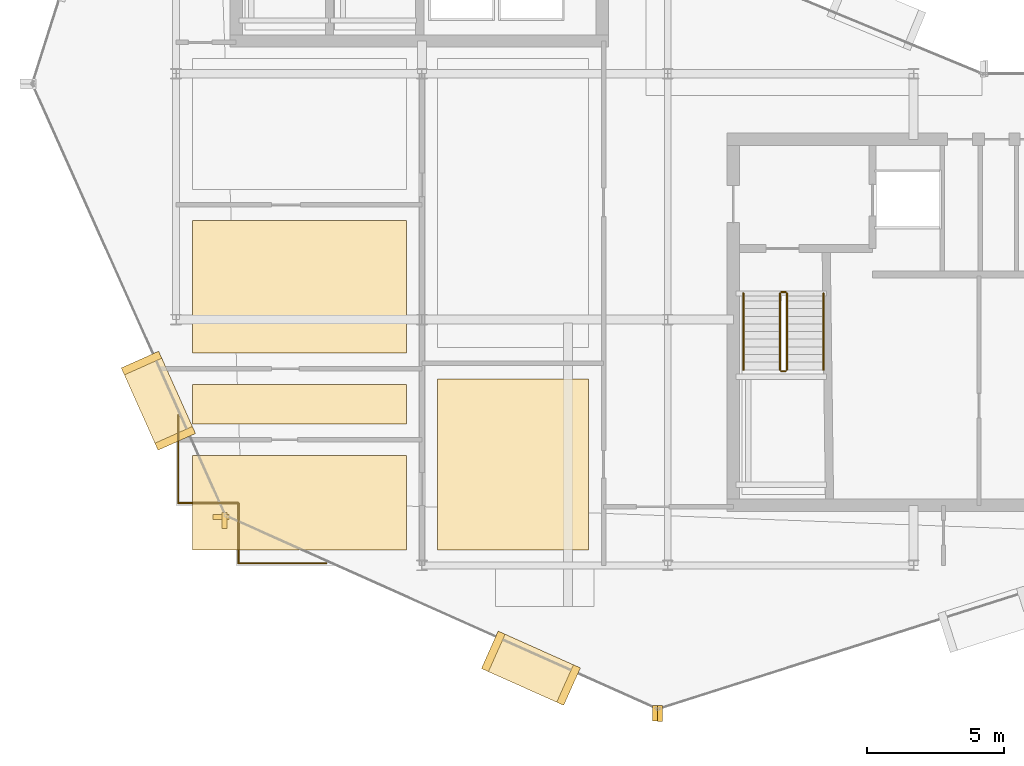
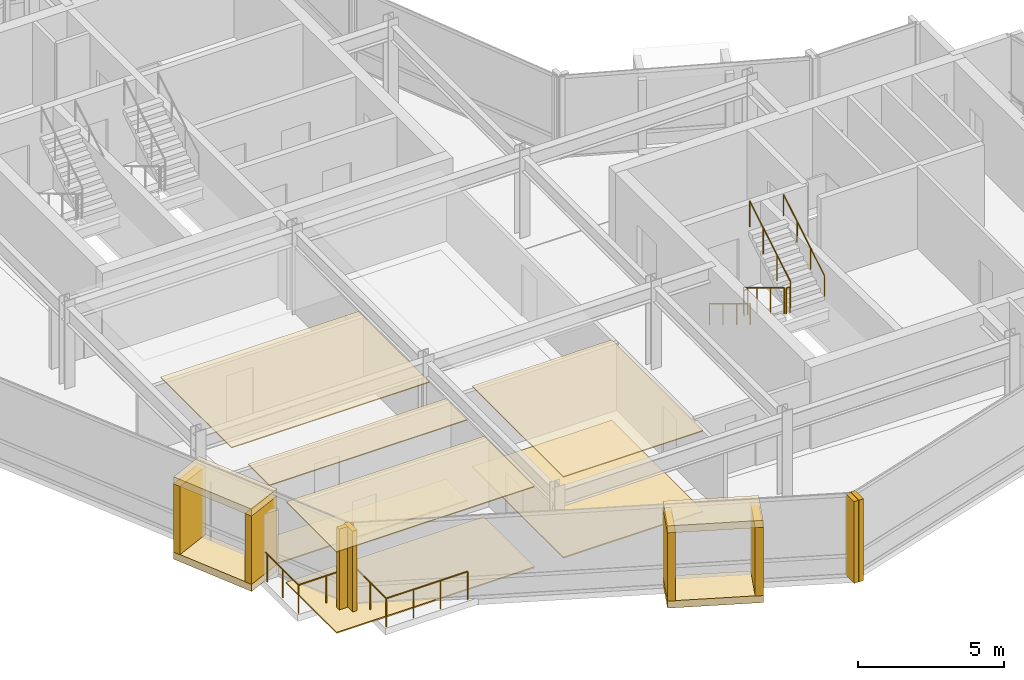
# One storey, part 16 of 19: 19 coverings, 10 railings.
"""IFC4 building model written with IfcOpenShell, lengths in metres."""

from ifc_helpers import new_model, si_unit, direction, frame, origin, origin_2d, place, context, subcontext, project, spatial, polyline, rectangle, circle, outline, extrude, material, layer, layer_set, type_object, element, save


model = new_model("IFC4")

# Units and contexts
model_context = context("Model", 3, precision=1e-05, world=origin(), true_north=direction((0.0, 1.0)))
body_context = subcontext(model_context, "Body", "Model", "MODEL_VIEW")
ifc_project = project(units=[si_unit("LENGTHUNIT", "METRE"), si_unit("AREAUNIT", "SQUARE_METRE"), si_unit("VOLUMEUNIT", "CUBIC_METRE"), si_unit("PLANEANGLEUNIT", "RADIAN"), si_unit("MASSUNIT", "GRAM", prefix="KILO")], contexts=[model_context])

# Site, building, storey
site_placement = place(None, origin())
site = spatial("IfcSite", under=ifc_project, at=site_placement, CompositionType="ELEMENT")
building_placement = place(site_placement, origin())
building = spatial("IfcBuilding", under=site, at=building_placement, Name="Solvaryn Broadcast Tower", CompositionType="ELEMENT")
storey_placement = place(building_placement, frame((0.0, 0.0, 244.5)))
storey = spatial("IfcBuildingStorey", under=building, at=storey_placement, Name="L61", CompositionType="ELEMENT", Elevation=244.5)

# Coverings
ifc_material_1 = material(Name="Micro-Perforated Acoustic Gypsum Ceiling", Category="concrete")
ifc_layer_1 = layer(ifc_material_1, 0.0400390625)
ifc_layer_set_1 = layer_set([ifc_layer_1], Name="CV-CEIL-ACOUSTIC")
covering_type_1 = type_object("IfcCoveringType", Name="CV-CEIL-ACOUSTIC", PredefinedType="CEILING", material=ifc_layer_set_1)
covering_1_placement = place(storey_placement, frame((0.0, 0.0, 3.3798828125)))
element("IfcCovering", 1, at=covering_1_placement, inside=storey, type_object=covering_type_1, Name="L61 Room Acoustic Ceiling 1", PredefinedType="CEILING", context=body_context, shape_type="SweptSolid", body=[
    extrude(outline(polyline([(18.570068359375, 9.570068359375), (24.10009765625, 9.570068359375), (24.10009765625, 15.830078125), (18.570068359375, 15.830078125), (18.570068359375, 9.570068359375)])), origin(), (0.0, 0.0, 1.0), 0.0400390625),
])
covering_2_placement = place(storey_placement, frame((0.0, 0.0, 3.3798828125)))
element("IfcCovering", 2, at=covering_2_placement, inside=storey, type_object=covering_type_1, Name="L61 Room Acoustic Ceiling 3", PredefinedType="CEILING", context=body_context, shape_type="SweptSolid", body=[
    extrude(outline(polyline([(9.60009765625, 9.570068359375), (17.429931640625, 9.570068359375), (17.429931640625, 13.030029296875), (9.60009765625, 13.030029296875), (9.60009765625, 9.570068359375)])), origin(), (0.0, 0.0, 1.0), 0.0400390625),
])
covering_3_placement = place(storey_placement, frame((0.0, 0.0, 3.3798828125)))
element("IfcCovering", 3, at=covering_3_placement, inside=storey, type_object=covering_type_1, Name="L61 Room Acoustic Ceiling 4", PredefinedType="CEILING", context=body_context, shape_type="SweptSolid", body=[
    extrude(outline(polyline([(9.60009765625, 14.169921875), (17.429931640625, 14.169921875), (17.429931640625, 15.6298828125), (9.60009765625, 15.6298828125), (9.60009765625, 14.169921875)])), origin(), (0.0, 0.0, 1.0), 0.0400390625),
])
covering_4_placement = place(storey_placement, frame((0.0, 0.0, 3.3798828125)))
element("IfcCovering", 4, at=covering_4_placement, inside=storey, type_object=covering_type_1, Name="L61 Room Acoustic Ceiling 5", PredefinedType="CEILING", context=body_context, shape_type="SweptSolid", body=[
    extrude(outline(polyline([(9.60009765625, 16.77001953125), (17.429931640625, 16.77001953125), (17.429931640625, 21.6298828125), (9.60009765625, 21.6298828125), (9.60009765625, 16.77001953125)])), origin(), (0.0, 0.0, 1.0), 0.0400390625),
])
ifc_material_2 = material(Name="Newsroom Raised Data Access Flooring", Category="steel")
ifc_layer_2 = layer(ifc_material_2, 0.050048828125)
ifc_layer_set_2 = layer_set([ifc_layer_2], Name="CV-FLOOR-RAISED")
covering_type_2 = type_object("IfcCoveringType", Name="CV-FLOOR-RAISED", PredefinedType="FLOORING", material=ifc_layer_set_2)
covering_5_placement = place(storey_placement, origin())
element("IfcCovering", 5, at=covering_5_placement, inside=storey, type_object=covering_type_2, Name="L61 Room Acoustic Floor Finish 1", PredefinedType="FLOORING", context=body_context, shape_type="SweptSolid", body=[
    extrude(outline(polyline([(18.570068359375, 9.570068359375), (24.10009765625, 9.570068359375), (24.10009765625, 15.830078125), (18.570068359375, 15.830078125), (18.570068359375, 9.570068359375)])), origin(), (0.0, 0.0, 1.0), 0.050048828125),
])
covering_6_placement = place(storey_placement, origin())
element("IfcCovering", 6, at=covering_6_placement, inside=storey, type_object=covering_type_2, Name="L61 Room Acoustic Floor Finish 3", PredefinedType="FLOORING", context=body_context, shape_type="SweptSolid", body=[
    extrude(outline(polyline([(9.60009765625, 9.570068359375), (17.429931640625, 9.570068359375), (17.429931640625, 13.030029296875), (9.60009765625, 13.030029296875), (9.60009765625, 9.570068359375)])), origin(), (0.0, 0.0, 1.0), 0.050048828125),
])
covering_7_placement = place(storey_placement, origin())
element("IfcCovering", 7, at=covering_7_placement, inside=storey, type_object=covering_type_2, Name="L61 Room Acoustic Floor Finish 4", PredefinedType="FLOORING", context=body_context, shape_type="SweptSolid", body=[
    extrude(outline(polyline([(9.60009765625, 14.169921875), (17.429931640625, 14.169921875), (17.429931640625, 15.6298828125), (9.60009765625, 15.6298828125), (9.60009765625, 14.169921875)])), origin(), (0.0, 0.0, 1.0), 0.050048828125),
])
ifc_material_3 = material(Name="Glazed Architectural Terracotta Rainscreen Cladding", Category="masonry")
ifc_layer_3 = layer(ifc_material_3, 0.280029296875)
ifc_layer_set_3 = layer_set([ifc_layer_3], Name="CV-TC-CLAD")
covering_type_3 = type_object("IfcCoveringType", Name="CV-TC-CLAD", PredefinedType="CLADDING", material=ifc_layer_set_3)
for number, where, z_axis, x_axis, name in (
    (8, (8.35107421875, 15.030029296875, 3.1298828125), (0.0, 0.0, 1.0), (0.408489773781, -0.91276289622, 0.0), "L61 Projecting Stone Window Box Hood 2"),
    (9, (8.35107421875, 15.030029296875, -0.01025390625), (0.0, 0.0, 1.0), (0.408489773781, -0.91276289622, 0.0), "L61 Projecting Stone Window Box Sill 2"),
):
    element("IfcCovering", number, at=place(storey_placement, frame(where, z_axis=z_axis, x_axis=x_axis)), inside=storey, type_object=covering_type_3, Name=name, PredefinedType="CLADDING", context=body_context, shape_type="SweptSolid", body=[
        extrude(rectangle(XDim=3.300048828125, YDim=1.5, at=origin_2d()), origin(), (0.0, 0.0, 1.0), 0.300048828125),
    ])
for number, where, z_axis, x_axis, name in (
    (10, (7.734130859375, 16.408203125, 0.27978515625), (0.0, 0.0, 1.0), (0.408489773781, -0.91276289622, 0.0), "L61 Projecting Stone Window Box Cheek 2-1"),
    (11, (8.9677734375, 13.651611328125, 0.27978515625), (0.0, 0.0, 1.0), (0.408489773781, -0.91276289622, 0.0), "L61 Projecting Stone Window Box Cheek 2-2"),
):
    element("IfcCovering", number, at=place(storey_placement, frame(where, z_axis=z_axis, x_axis=x_axis)), inside=storey, type_object=covering_type_3, Name=name, PredefinedType="CLADDING", context=body_context, shape_type="SweptSolid", body=[
        extrude(rectangle(XDim=0.280029296875, YDim=1.5, at=origin_2d()), origin(), (0.0, 0.0, 1.0), 2.860107421875),
    ])
for number, where, z_axis, x_axis, name in (
    (12, (21.989990234375, 5.236083984375, 3.1298828125), (0.0, 0.0, 1.0), (0.91276289622, -0.408489773781, 0.0), "L61 Projecting Stone Window Box Hood 3"),
    (13, (21.989990234375, 5.236083984375, -0.01025390625), (0.0, 0.0, 1.0), (0.91276289622, -0.408489773781, 0.0), "L61 Projecting Stone Window Box Sill 3"),
):
    element("IfcCovering", number, at=place(storey_placement, frame(where, z_axis=z_axis, x_axis=x_axis)), inside=storey, type_object=covering_type_3, Name=name, PredefinedType="CLADDING", context=body_context, shape_type="SweptSolid", body=[
        extrude(rectangle(XDim=3.300048828125, YDim=1.5, at=origin_2d()), origin(), (0.0, 0.0, 1.0), 0.300048828125),
    ])
for number, where, z_axis, x_axis, name in (
    (14, (20.61181640625, 5.852783203125, 0.27978515625), (0.0, 0.0, 1.0), (0.91276289622, -0.408489773781, 0.0), "L61 Projecting Stone Window Box Cheek 3-1"),
    (15, (23.368408203125, 4.619140625, 0.27978515625), (0.0, 0.0, 1.0), (0.91276289622, -0.408489773781, 0.0), "L61 Projecting Stone Window Box Cheek 3-2"),
):
    element("IfcCovering", number, at=place(storey_placement, frame(where, z_axis=z_axis, x_axis=x_axis)), inside=storey, type_object=covering_type_3, Name=name, PredefinedType="CLADDING", context=body_context, shape_type="SweptSolid", body=[
        extrude(rectangle(XDim=0.280029296875, YDim=1.5, at=origin_2d()), origin(), (0.0, 0.0, 1.0), 2.860107421875),
    ])
ifc_material_4 = material(Name="Extruded Architectural Terracotta Fin", Category="masonry")
ifc_layer_4 = layer(ifc_material_4, 0.179931640625)
ifc_layer_set_4 = layer_set([ifc_layer_4], Name="CV-TC-FIN")
covering_type_4 = type_object("IfcCoveringType", Name="CV-TC-FIN", PredefinedType="USERDEFINED", material=ifc_layer_set_4)
covering_8_placement = place(storey_placement, frame((10.640380859375, 10.77099609375, 0.0), z_axis=(0.0, 0.0, 1.0), x_axis=(1.0, 0.0, 0.0)))
element("IfcCovering", 16, at=covering_8_placement, inside=storey, type_object=covering_type_4, Name="L61 Terracotta Vertical Fin FIN-L61-DR2-M01", ObjectType="FIN", PredefinedType="USERDEFINED", context=body_context, shape_type="SweptSolid", body=[
    extrude(rectangle(XDim=0.580078125, YDim=0.179931640625, at=origin_2d()), origin(), (0.0, 0.0, 1.0), 3.419921875),
])
for number, where, z_axis, x_axis, name in (
    (17, (10.77099609375, 10.640380859375, 0.0), (0.0, 0.0, 1.0), (1.0, 0.0, 0.0), "L61 Terracotta Vertical Fin FIN-L61-DR3-M00"),
    (18, (26.53515625, 3.5859375, 0.0), (0.0, 0.0, 1.0), (1.0, 0.0, 0.0), "L61 Terracotta Vertical Fin FIN-L61-DR3-M01"),
    (19, (26.71923828125, 3.575439453125, 0.0), (0.0, 0.0, 1.0), (1.0, 0.0, 0.0), "L61 Terracotta Vertical Fin FIN-L61-DR4-M00"),
):
    element("IfcCovering", number, at=place(storey_placement, frame(where, z_axis=z_axis, x_axis=x_axis)), inside=storey, type_object=covering_type_4, Name=name, ObjectType="FIN", PredefinedType="USERDEFINED", context=body_context, shape_type="SweptSolid", body=[
        extrude(rectangle(XDim=0.179931640625, YDim=0.580078125, at=origin_2d()), origin(), (0.0, 0.0, 1.0), 3.419921875),
    ])

# Railings
ifc_material_5 = material(Name="Stainless Steel and Laminated Glass Guard", Category="steel")
railing_type_1 = type_object("IfcRailingType", Name="RL-SKYG-1200", PredefinedType="BALUSTRADE", material=ifc_material_5)
railing_1_placement = place(storey_placement, frame((9.080078125, 14.5, 0.0)))
element("IfcRailing", 20, at=railing_1_placement, inside=storey, type_object=railing_type_1, Name="L61 Upper SW Corner Balustrade 1", PredefinedType="BALUSTRADE", context=body_context, shape_type="SweptSolid", body=[
    extrude(circle(Radius=0.02392578125, at=origin_2d()), frame((0.0, 0.0, 1.17578125), z_axis=(0.0, -1.0, 0.0), x_axis=(1.0, 0.0, 0.0)), (0.0, 0.0, 1.0), 3.219970703125),
    extrude(circle(Radius=0.02099609375, at=origin_2d()), origin(), (0.0, 0.0, 1.0), 1.15185546875),
    extrude(circle(Radius=0.02099609375, at=origin_2d()), frame((0.0, -1.0732421875, 0.0)), (0.0, 0.0, 1.0), 1.15185546875),
    extrude(circle(Radius=0.02099609375, at=origin_2d()), frame((0.0, -2.146728515625, 0.0)), (0.0, 0.0, 1.0), 1.15185546875),
    extrude(circle(Radius=0.02099609375, at=origin_2d()), frame((0.0, -3.219970703125, 0.0)), (0.0, 0.0, 1.0), 1.15185546875),
])
railing_2_placement = place(storey_placement, frame((9.080078125, 11.280029296875, 0.0)))
element("IfcRailing", 21, at=railing_2_placement, inside=storey, type_object=railing_type_1, Name="L61 Upper SW Corner Balustrade 2", PredefinedType="BALUSTRADE", context=body_context, shape_type="SweptSolid", body=[
    extrude(circle(Radius=0.02392578125, at=origin_2d()), frame((0.0, 0.0, 1.17578125), z_axis=(1.0, 0.0, 0.0), x_axis=(0.0, 1.0, 0.0)), (0.0, 0.0, 1.0), 2.199951171875),
    extrude(circle(Radius=0.02099609375, at=origin_2d()), origin(), (0.0, 0.0, 1.0), 1.15185546875),
    extrude(circle(Radius=0.02099609375, at=origin_2d()), frame((1.10009765625, 0.0, 0.0)), (0.0, 0.0, 1.0), 1.15185546875),
    extrude(circle(Radius=0.02099609375, at=origin_2d()), frame((2.199951171875, 0.0, 0.0)), (0.0, 0.0, 1.0), 1.15185546875),
])
railing_3_placement = place(storey_placement, frame((11.280029296875, 11.280029296875, 0.0)))
element("IfcRailing", 22, at=railing_3_placement, inside=storey, type_object=railing_type_1, Name="L61 Upper SW Corner Balustrade 3", PredefinedType="BALUSTRADE", context=body_context, shape_type="SweptSolid", body=[
    extrude(circle(Radius=0.02392578125, at=origin_2d()), frame((0.0, 0.0, 1.17578125), z_axis=(0.0, -1.0, 0.0), x_axis=(1.0, 0.0, 0.0)), (0.0, 0.0, 1.0), 2.199951171875),
    extrude(circle(Radius=0.02099609375, at=origin_2d()), origin(), (0.0, 0.0, 1.0), 1.15185546875),
    extrude(circle(Radius=0.02099609375, at=origin_2d()), frame((0.0, -1.10009765625, 0.0)), (0.0, 0.0, 1.0), 1.15185546875),
    extrude(circle(Radius=0.02099609375, at=origin_2d()), frame((0.0, -2.199951171875, 0.0)), (0.0, 0.0, 1.0), 1.15185546875),
])
railing_4_placement = place(storey_placement, frame((11.280029296875, 9.080078125, 0.0)))
element("IfcRailing", 23, at=railing_4_placement, inside=storey, type_object=railing_type_1, Name="L61 Upper SW Corner Balustrade 4", PredefinedType="BALUSTRADE", context=body_context, shape_type="SweptSolid", body=[
    extrude(circle(Radius=0.02392578125, at=origin_2d()), frame((0.0, 0.0, 1.17578125), z_axis=(1.0, 0.0, 0.0), x_axis=(0.0, 1.0, 0.0)), (0.0, 0.0, 1.0), 3.219970703125),
    extrude(circle(Radius=0.02099609375, at=origin_2d()), origin(), (0.0, 0.0, 1.0), 1.15185546875),
    extrude(circle(Radius=0.02099609375, at=origin_2d()), frame((1.0732421875, 0.0, 0.0)), (0.0, 0.0, 1.0), 1.15185546875),
    extrude(circle(Radius=0.02099609375, at=origin_2d()), frame((2.146728515625, 0.0, 0.0)), (0.0, 0.0, 1.0), 1.15185546875),
    extrude(circle(Radius=0.02099609375, at=origin_2d()), frame((3.219970703125, 0.0, 0.0)), (0.0, 0.0, 1.0), 1.15185546875),
])
ifc_material_6 = material(Name="Painted Steel Stair Well Guard", Category="steel")
railing_type_2 = type_object("IfcRailingType", Name="RL-STAIR-GUARD", PredefinedType="BALUSTRADE", material=ifc_material_6)
railing_5_placement = place(storey_placement, frame((31.110107421875, 18.9599609375, 0.168212890625)))
element("IfcRailing", 24, at=railing_5_placement, inside=storey, type_object=railing_type_2, Name="L61 ST3 stair guard 1", PredefinedType="BALUSTRADE", context=body_context, shape_type="SweptSolid", body=[
    extrude(circle(Radius=0.02392578125, at=origin_2d()), frame((0.0, 0.0, 1.076171875), z_axis=(0.0, -0.857242210791, 0.514913383045), x_axis=(1.0, 0.0, 0.0)), (0.0, 0.0, 1.0), 3.266357421875),
    extrude(circle(Radius=0.02099609375, at=origin_2d()), origin(), (0.0, 0.0, 1.0), 1.052001953125),
    extrude(circle(Radius=0.02099609375, at=origin_2d()), frame((0.0, -0.933349609375, 0.560546875)), (0.0, 0.0, 1.0), 1.052001953125),
    extrude(circle(Radius=0.02099609375, at=origin_2d()), frame((0.0, -1.86669921875, 1.121337890625)), (0.0, 0.0, 1.0), 1.052001953125),
    extrude(circle(Radius=0.02099609375, at=origin_2d()), frame((0.0, -2.800048828125, 1.681884765625)), (0.0, 0.0, 1.0), 1.052001953125),
])
railing_6_placement = place(storey_placement, frame((31.159912109375, 16.110107421875, 1.85009765625)))
element("IfcRailing", 25, at=railing_6_placement, inside=storey, type_object=railing_type_2, Name="L61 ST3 stair guard 2", PredefinedType="BALUSTRADE", context=body_context, shape_type="SweptSolid", body=[
    extrude(circle(Radius=0.02392578125, at=origin_2d()), frame((0.0, 0.0, 1.076171875), z_axis=(1.0, 0.0, 0.0), x_axis=(0.0, 1.0, 0.0)), (0.0, 0.0, 1.0), 0.150146484375),
    extrude(circle(Radius=0.02099609375, at=origin_2d()), origin(), (0.0, 0.0, 1.0), 1.052001953125),
    extrude(circle(Radius=0.02099609375, at=origin_2d()), frame((0.150146484375, 0.0, 0.0)), (0.0, 0.0, 1.0), 1.052001953125),
])
railing_7_placement = place(storey_placement, frame((31.360107421875, 16.159912109375, 2.01806640625)))
element("IfcRailing", 26, at=railing_7_placement, inside=storey, type_object=railing_type_2, Name="L61 ST3 stair guard 3", PredefinedType="BALUSTRADE", context=body_context, shape_type="SweptSolid", body=[
    extrude(circle(Radius=0.02392578125, at=origin_2d()), frame((0.0, 0.0, 1.076171875), z_axis=(0.0, 0.857242210791, 0.514913383045), x_axis=(-1.0, 0.0, 0.0)), (0.0, 0.0, 1.0), 3.266357421875),
    extrude(circle(Radius=0.02099609375, at=origin_2d()), origin(), (0.0, 0.0, 1.0), 1.052001953125),
    extrude(circle(Radius=0.02099609375, at=origin_2d()), frame((0.0, 0.933349609375, 0.560546875)), (0.0, 0.0, 1.0), 1.052001953125),
    extrude(circle(Radius=0.02099609375, at=origin_2d()), frame((0.0, 1.86669921875, 1.121337890625)), (0.0, 0.0, 1.0), 1.052001953125),
    extrude(circle(Radius=0.02099609375, at=origin_2d()), frame((0.0, 2.800048828125, 1.681884765625)), (0.0, 0.0, 1.0), 1.052001953125),
])
railing_8_placement = place(storey_placement, frame((31.159912109375, 19.010009765625, 0.0)))
element("IfcRailing", 27, at=railing_8_placement, inside=storey, type_object=railing_type_2, Name="L61 ST3 stair guard 4", PredefinedType="BALUSTRADE", context=body_context, shape_type="SweptSolid", body=[
    extrude(circle(Radius=0.02392578125, at=origin_2d()), frame((0.0, 0.0, 1.076171875), z_axis=(1.0, 0.0, 0.0), x_axis=(0.0, 1.0, 0.0)), (0.0, 0.0, 1.0), 0.150146484375),
    extrude(circle(Radius=0.02099609375, at=origin_2d()), origin(), (0.0, 0.0, 1.0), 1.052001953125),
    extrude(circle(Radius=0.02099609375, at=origin_2d()), frame((0.150146484375, 0.0, 0.0)), (0.0, 0.0, 1.0), 1.052001953125),
])
ifc_material_7 = material(Name="Brushed Stainless Steel Tubular Handrail", Category="steel")
railing_type_3 = type_object("IfcRailingType", Name="RL-STAIR-HANDRAIL", PredefinedType="HANDRAIL", material=ifc_material_7)
railing_9_placement = place(storey_placement, frame((29.77001953125, 18.9599609375, 0.168212890625)))
element("IfcRailing", 28, at=railing_9_placement, inside=storey, type_object=railing_type_3, Name="L61 ST3 stair handrail 1", PredefinedType="HANDRAIL", context=body_context, shape_type="SweptSolid", body=[
    extrude(circle(Radius=0.02392578125, at=origin_2d()), frame((0.0, 0.0, 0.8759765625), z_axis=(0.0, -0.857242210791, 0.514913383045), x_axis=(1.0, 0.0, 0.0)), (0.0, 0.0, 1.0), 3.266357421875),
    extrude(circle(Radius=0.02099609375, at=origin_2d()), origin(), (0.0, 0.0, 1.0), 0.851806640625),
    extrude(circle(Radius=0.02099609375, at=origin_2d()), frame((0.0, -0.933349609375, 0.560546875)), (0.0, 0.0, 1.0), 0.851806640625),
    extrude(circle(Radius=0.02099609375, at=origin_2d()), frame((0.0, -1.86669921875, 1.121337890625)), (0.0, 0.0, 1.0), 0.851806640625),
    extrude(circle(Radius=0.02099609375, at=origin_2d()), frame((0.0, -2.800048828125, 1.681884765625)), (0.0, 0.0, 1.0), 0.851806640625),
])
railing_10_placement = place(storey_placement, frame((32.699951171875, 16.159912109375, 2.01806640625)))
element("IfcRailing", 29, at=railing_10_placement, inside=storey, type_object=railing_type_3, Name="L61 ST3 stair handrail 2", PredefinedType="HANDRAIL", context=body_context, shape_type="SweptSolid", body=[
    extrude(circle(Radius=0.02392578125, at=origin_2d()), frame((0.0, 0.0, 0.8759765625), z_axis=(0.0, 0.857242210791, 0.514913383045), x_axis=(-1.0, 0.0, 0.0)), (0.0, 0.0, 1.0), 3.266357421875),
    extrude(circle(Radius=0.02099609375, at=origin_2d()), origin(), (0.0, 0.0, 1.0), 0.851806640625),
    extrude(circle(Radius=0.02099609375, at=origin_2d()), frame((0.0, 0.933349609375, 0.560546875)), (0.0, 0.0, 1.0), 0.851806640625),
    extrude(circle(Radius=0.02099609375, at=origin_2d()), frame((0.0, 1.86669921875, 1.121337890625)), (0.0, 0.0, 1.0), 0.851806640625),
    extrude(circle(Radius=0.02099609375, at=origin_2d()), frame((0.0, 2.800048828125, 1.681884765625)), (0.0, 0.0, 1.0), 0.851806640625),
])

save(model, "model.ifc")
